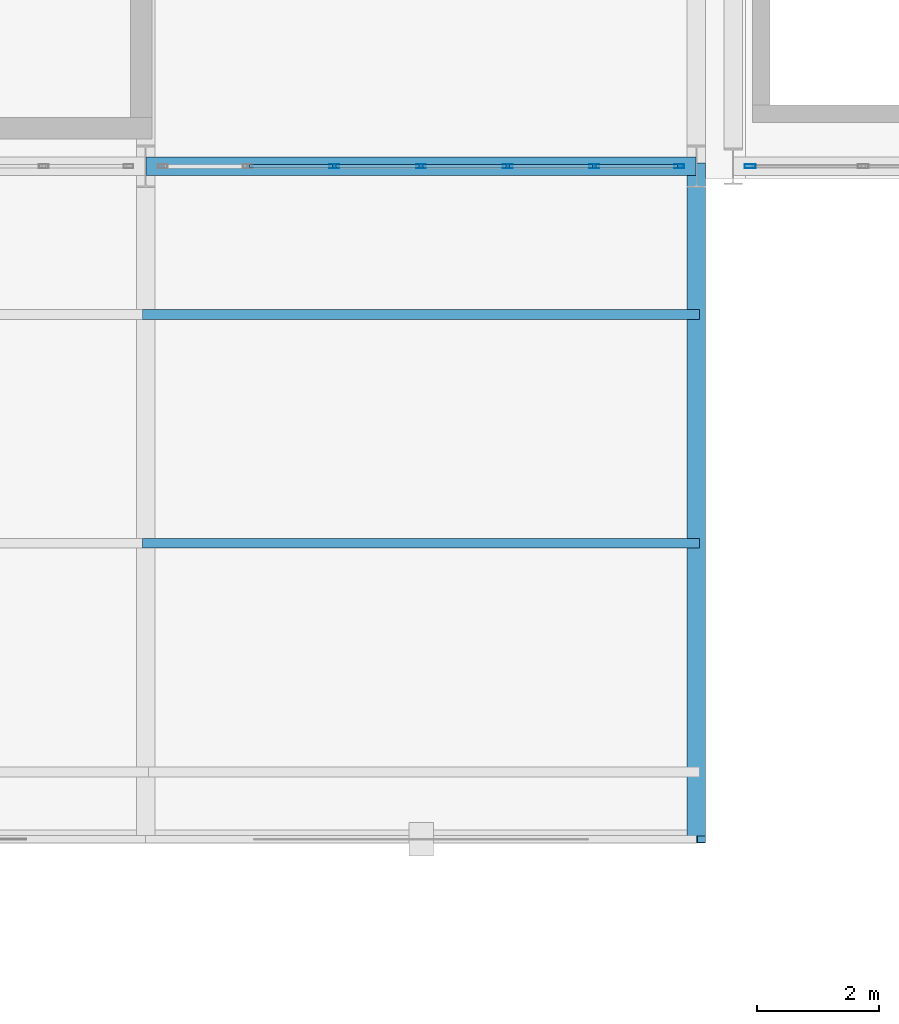
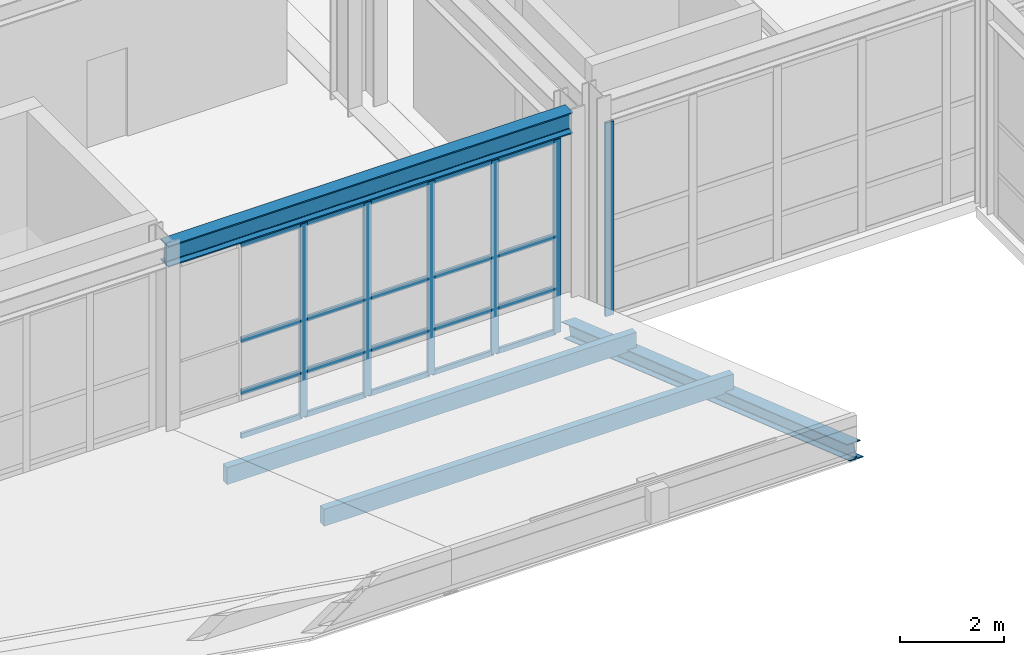
# One storey, part 61 of 239: 29 members, 1 beam, 2 elements without a shape of their own.
"""IFC4 building model written with IfcOpenShell, lengths in metres."""

from ifc_helpers import new_model, si_unit, direction, frame, origin, origin_2d, place, context, subcontext, project, spatial, rectangle, hollow_rectangle, i_section, extrude, material, material_profile, profile_set, type_object, element, aggregate, save


model = new_model("IFC4")

# Units and contexts
model_context = context("Model", 3, precision=1e-05, world=origin(), true_north=direction((0.0, 1.0)))
body_context = subcontext(model_context, "Body", "Model", "MODEL_VIEW")
ifc_project = project(units=[si_unit("LENGTHUNIT", "METRE"), si_unit("AREAUNIT", "SQUARE_METRE"), si_unit("VOLUMEUNIT", "CUBIC_METRE"), si_unit("PLANEANGLEUNIT", "RADIAN"), si_unit("MASSUNIT", "GRAM", prefix="KILO")], contexts=[model_context])

# Site, building, storey
site_placement = place(None, origin())
site = spatial("IfcSite", under=ifc_project, at=site_placement, CompositionType="ELEMENT")
building_placement = place(site_placement, origin())
building = spatial("IfcBuilding", under=site, at=building_placement, Name="Kaldris Quays Convention Centre", CompositionType="ELEMENT")
storey_placement = place(building_placement, frame((0.0, 0.0, 11.39990234375)))
storey = spatial("IfcBuildingStorey", under=building, at=storey_placement, Name="L02", CompositionType="ELEMENT", Elevation=11.39990234375)

# Curtain wall, members
ifc_material_1 = material(Name="Anodized aluminium AW-6060 and triple glazing", Category="aluminium")
curtain_wall_type_1 = type_object("IfcCurtainWallType", Name="UNITISED CURTAIN WALL CW04", PredefinedType="NOTDEFINED", material=ifc_material_1)
curtain_wall_1_placement = place(storey_placement, origin())
curtain_wall_1 = element("IfcCurtainWall", 1, at=curtain_wall_1_placement, inside=storey, type_object=curtain_wall_type_1, Name="L02 Unitised Curtain Wall CW04 120", PredefinedType="NOTDEFINED")
ifc_material_2 = material(Name="Anodized aluminium AW-6060", Category="aluminium")
ifc_material_profile_1 = material_profile(ifc_material_2, hollow_rectangle(XDim=0.06005859375, YDim=0.159912109375, WallThickness=0.00390625, at=origin_2d()), Name="RHS 160x60x4")
ifc_profile_set_1 = profile_set([ifc_material_profile_1], Name="Anodized aluminium AW-6060")
member_type_1 = type_object("IfcMemberType", Name="CURTAIN MULLION CWM1", PredefinedType="MULLION", material=ifc_profile_set_1)
member_1_placement = place(storey_placement, frame((140.083251953125, 38.0, 0.0), z_axis=(0.0, 0.0, 1.0), x_axis=(0.0, 1.0, 0.0)))
member_1 = element("IfcMember", 2, at=member_1_placement, type_object=member_type_1, Name="CW04 mullion 3", PredefinedType="MULLION", context=body_context, shape_type="SweptSolid", body=[
    extrude(hollow_rectangle(XDim=0.06005859375, YDim=0.159912109375, WallThickness=0.00390625, at=origin_2d()), origin(), (0.0, 0.0, 1.0), 4.548095703125),
])
member_2_placement = place(storey_placement, frame((141.5, 38.0, 0.0), z_axis=(0.0, 0.0, 1.0), x_axis=(0.0, 1.0, 0.0)))
member_2 = element("IfcMember", 3, at=member_2_placement, type_object=member_type_1, Name="CW04 mullion 4", PredefinedType="MULLION", context=body_context, shape_type="SweptSolid", body=[
    extrude(hollow_rectangle(XDim=0.06005859375, YDim=0.159912109375, WallThickness=0.00390625, at=origin_2d()), origin(), (0.0, 0.0, 1.0), 4.548095703125),
])
member_3_placement = place(storey_placement, frame((142.916748046875, 38.0, 0.0), z_axis=(0.0, 0.0, 1.0), x_axis=(0.0, 1.0, 0.0)))
member_3 = element("IfcMember", 4, at=member_3_placement, type_object=member_type_1, Name="CW04 mullion 5", PredefinedType="MULLION", context=body_context, shape_type="SweptSolid", body=[
    extrude(hollow_rectangle(XDim=0.06005859375, YDim=0.159912109375, WallThickness=0.00390625, at=origin_2d()), origin(), (0.0, 0.0, 1.0), 4.548095703125),
])
member_4_placement = place(storey_placement, frame((144.333251953125, 38.0, 0.0), z_axis=(0.0, 0.0, 1.0), x_axis=(0.0, 1.0, 0.0)))
member_4 = element("IfcMember", 5, at=member_4_placement, type_object=member_type_1, Name="CW04 mullion 6", PredefinedType="MULLION", context=body_context, shape_type="SweptSolid", body=[
    extrude(hollow_rectangle(XDim=0.06005859375, YDim=0.159912109375, WallThickness=0.00390625, at=origin_2d()), origin(), (0.0, 0.0, 1.0), 4.548095703125),
])
member_5_placement = place(storey_placement, frame((145.719970703125, 38.0, 0.0), z_axis=(0.0, 0.0, 1.0), x_axis=(0.0, 1.0, 0.0)))
member_5 = element("IfcMember", 6, at=member_5_placement, type_object=member_type_1, Name="CW04 mullion 7", PredefinedType="MULLION", context=body_context, shape_type="SweptSolid", body=[
    extrude(hollow_rectangle(XDim=0.06005859375, YDim=0.159912109375, WallThickness=0.00390625, at=origin_2d()), origin(), (0.0, 0.0, 1.0), 4.548095703125),
])

# Curtain wall, member
curtain_wall_type_2 = type_object("IfcCurtainWallType", Name="UNITISED CURTAIN WALL CW05", PredefinedType="NOTDEFINED", material=ifc_material_1)
curtain_wall_2_placement = place(storey_placement, origin())
curtain_wall_2 = element("IfcCurtainWall", 7, at=curtain_wall_2_placement, inside=storey, type_object=curtain_wall_type_2, Name="L02 Unitised Curtain Wall CW05 145", PredefinedType="NOTDEFINED")
ifc_material_profile_2 = material_profile(ifc_material_2, hollow_rectangle(XDim=0.06005859375, YDim=0.179931640625, WallThickness=0.0048828125, at=origin_2d()), Name="RHS 180x60x5")
ifc_profile_set_2 = profile_set([ifc_material_profile_2], Name="Anodized aluminium AW-6060")
member_type_2 = type_object("IfcMemberType", Name="CURTAIN MULLION CWM2", PredefinedType="MULLION", material=ifc_profile_set_2)
member_6_placement = place(storey_placement, frame((146.8798828125, 38.0, 0.0), z_axis=(0.0, 0.0, 1.0), x_axis=(0.0, 1.0, 0.0)))
member_6 = element("IfcMember", 8, at=member_6_placement, type_object=member_type_2, Name="CW05 mullion 1", PredefinedType="MULLION", context=body_context, shape_type="SweptSolid", body=[
    extrude(hollow_rectangle(XDim=0.06005859375, YDim=0.179931640625, WallThickness=0.0048828125, at=origin_2d()), origin(), (0.0, 0.0, 1.0), 4.548095703125),
])
aggregate(curtain_wall_2, [member_6])

# Member
ifc_material_profile_3 = material_profile(ifc_material_2, hollow_rectangle(XDim=0.06005859375, YDim=0.1201171875, WallThickness=0.00390625, at=origin_2d()), Name="RHS 120x60x4")
ifc_profile_set_3 = profile_set([ifc_material_profile_3], Name="Anodized aluminium AW-6060")
member_type_3 = type_object("IfcMemberType", Name="CURTAIN TRANSOM CWT1", PredefinedType="USERDEFINED", material=ifc_profile_set_3)
member_7_placement = place(storey_placement, frame((138.69677734375, 38.0, 0.030029296875), z_axis=(1.0, 0.0, 0.0), x_axis=(0.0, 1.0, 0.0)))
member_7 = element("IfcMember", 9, at=member_7_placement, type_object=member_type_3, Name="CW04 transom 2.1", ObjectType="TRANSOM", PredefinedType="USERDEFINED", context=body_context, shape_type="SweptSolid", body=[
    extrude(hollow_rectangle(XDim=0.06005859375, YDim=0.1201171875, WallThickness=0.00390625, at=origin_2d()), origin(), (0.0, 0.0, 1.0), 1.3564453125),
])

member_8_placement = place(storey_placement, frame((138.69677734375, 38.0, 1.050048828125), z_axis=(1.0, 0.0, 0.0), x_axis=(0.0, 1.0, 0.0)))
member_8 = element("IfcMember", 10, at=member_8_placement, type_object=member_type_3, Name="CW04 transom 2.2", ObjectType="TRANSOM", PredefinedType="USERDEFINED", context=body_context, shape_type="SweptSolid", body=[
    extrude(hollow_rectangle(XDim=0.06005859375, YDim=0.1201171875, WallThickness=0.00390625, at=origin_2d()), origin(), (0.0, 0.0, 1.0), 1.3564453125),
])

member_9_placement = place(storey_placement, frame((138.69677734375, 38.0, 2.274169921875), z_axis=(1.0, 0.0, 0.0), x_axis=(0.0, 1.0, 0.0)))
member_9 = element("IfcMember", 11, at=member_9_placement, type_object=member_type_3, Name="CW04 transom 2.3", ObjectType="TRANSOM", PredefinedType="USERDEFINED", context=body_context, shape_type="SweptSolid", body=[
    extrude(hollow_rectangle(XDim=0.06005859375, YDim=0.1201171875, WallThickness=0.00390625, at=origin_2d()), origin(), (0.0, 0.0, 1.0), 1.3564453125),
])

member_10_placement = place(storey_placement, frame((138.69677734375, 38.0, 4.51806640625), z_axis=(1.0, 0.0, 0.0), x_axis=(0.0, 1.0, 0.0)))
member_10 = element("IfcMember", 12, at=member_10_placement, type_object=member_type_3, Name="CW04 transom 2.4", ObjectType="TRANSOM", PredefinedType="USERDEFINED", context=body_context, shape_type="SweptSolid", body=[
    extrude(hollow_rectangle(XDim=0.06005859375, YDim=0.1201171875, WallThickness=0.00390625, at=origin_2d()), origin(), (0.0, 0.0, 1.0), 1.3564453125),
])

member_11_placement = place(storey_placement, frame((140.11328125, 38.0, 0.030029296875), z_axis=(1.0, 0.0, 0.0), x_axis=(0.0, 1.0, 0.0)))
member_11 = element("IfcMember", 13, at=member_11_placement, type_object=member_type_3, Name="CW04 transom 3.1", ObjectType="TRANSOM", PredefinedType="USERDEFINED", context=body_context, shape_type="SweptSolid", body=[
    extrude(hollow_rectangle(XDim=0.06005859375, YDim=0.1201171875, WallThickness=0.00390625, at=origin_2d()), origin(), (0.0, 0.0, 1.0), 1.356689453125),
])

member_12_placement = place(storey_placement, frame((140.11328125, 38.0, 1.050048828125), z_axis=(1.0, 0.0, 0.0), x_axis=(0.0, 1.0, 0.0)))
member_12 = element("IfcMember", 14, at=member_12_placement, type_object=member_type_3, Name="CW04 transom 3.2", ObjectType="TRANSOM", PredefinedType="USERDEFINED", context=body_context, shape_type="SweptSolid", body=[
    extrude(hollow_rectangle(XDim=0.06005859375, YDim=0.1201171875, WallThickness=0.00390625, at=origin_2d()), origin(), (0.0, 0.0, 1.0), 1.356689453125),
])

member_13_placement = place(storey_placement, frame((140.11328125, 38.0, 2.274169921875), z_axis=(1.0, 0.0, 0.0), x_axis=(0.0, 1.0, 0.0)))
member_13 = element("IfcMember", 15, at=member_13_placement, type_object=member_type_3, Name="CW04 transom 3.3", ObjectType="TRANSOM", PredefinedType="USERDEFINED", context=body_context, shape_type="SweptSolid", body=[
    extrude(hollow_rectangle(XDim=0.06005859375, YDim=0.1201171875, WallThickness=0.00390625, at=origin_2d()), origin(), (0.0, 0.0, 1.0), 1.356689453125),
])

member_14_placement = place(storey_placement, frame((140.11328125, 38.0, 4.51806640625), z_axis=(1.0, 0.0, 0.0), x_axis=(0.0, 1.0, 0.0)))
member_14 = element("IfcMember", 16, at=member_14_placement, type_object=member_type_3, Name="CW04 transom 3.4", ObjectType="TRANSOM", PredefinedType="USERDEFINED", context=body_context, shape_type="SweptSolid", body=[
    extrude(hollow_rectangle(XDim=0.06005859375, YDim=0.1201171875, WallThickness=0.00390625, at=origin_2d()), origin(), (0.0, 0.0, 1.0), 1.356689453125),
])

member_15_placement = place(storey_placement, frame((141.530029296875, 38.0, 0.030029296875), z_axis=(1.0, 0.0, 0.0), x_axis=(0.0, 1.0, 0.0)))
member_15 = element("IfcMember", 17, at=member_15_placement, type_object=member_type_3, Name="CW04 transom 4.1", ObjectType="TRANSOM", PredefinedType="USERDEFINED", context=body_context, shape_type="SweptSolid", body=[
    extrude(hollow_rectangle(XDim=0.06005859375, YDim=0.1201171875, WallThickness=0.00390625, at=origin_2d()), origin(), (0.0, 0.0, 1.0), 1.356689453125),
])

member_16_placement = place(storey_placement, frame((141.530029296875, 38.0, 1.050048828125), z_axis=(1.0, 0.0, 0.0), x_axis=(0.0, 1.0, 0.0)))
member_16 = element("IfcMember", 18, at=member_16_placement, type_object=member_type_3, Name="CW04 transom 4.2", ObjectType="TRANSOM", PredefinedType="USERDEFINED", context=body_context, shape_type="SweptSolid", body=[
    extrude(hollow_rectangle(XDim=0.06005859375, YDim=0.1201171875, WallThickness=0.00390625, at=origin_2d()), origin(), (0.0, 0.0, 1.0), 1.356689453125),
])

member_17_placement = place(storey_placement, frame((141.530029296875, 38.0, 2.274169921875), z_axis=(1.0, 0.0, 0.0), x_axis=(0.0, 1.0, 0.0)))
member_17 = element("IfcMember", 19, at=member_17_placement, type_object=member_type_3, Name="CW04 transom 4.3", ObjectType="TRANSOM", PredefinedType="USERDEFINED", context=body_context, shape_type="SweptSolid", body=[
    extrude(hollow_rectangle(XDim=0.06005859375, YDim=0.1201171875, WallThickness=0.00390625, at=origin_2d()), origin(), (0.0, 0.0, 1.0), 1.356689453125),
])

member_18_placement = place(storey_placement, frame((141.530029296875, 38.0, 4.51806640625), z_axis=(1.0, 0.0, 0.0), x_axis=(0.0, 1.0, 0.0)))
member_18 = element("IfcMember", 20, at=member_18_placement, type_object=member_type_3, Name="CW04 transom 4.4", ObjectType="TRANSOM", PredefinedType="USERDEFINED", context=body_context, shape_type="SweptSolid", body=[
    extrude(hollow_rectangle(XDim=0.06005859375, YDim=0.1201171875, WallThickness=0.00390625, at=origin_2d()), origin(), (0.0, 0.0, 1.0), 1.356689453125),
])

member_19_placement = place(storey_placement, frame((142.94677734375, 38.0, 0.030029296875), z_axis=(1.0, 0.0, 0.0), x_axis=(0.0, 1.0, 0.0)))
member_19 = element("IfcMember", 21, at=member_19_placement, type_object=member_type_3, Name="CW04 transom 5.1", ObjectType="TRANSOM", PredefinedType="USERDEFINED", context=body_context, shape_type="SweptSolid", body=[
    extrude(hollow_rectangle(XDim=0.06005859375, YDim=0.1201171875, WallThickness=0.00390625, at=origin_2d()), origin(), (0.0, 0.0, 1.0), 1.3564453125),
])

member_20_placement = place(storey_placement, frame((142.94677734375, 38.0, 1.050048828125), z_axis=(1.0, 0.0, 0.0), x_axis=(0.0, 1.0, 0.0)))
member_20 = element("IfcMember", 22, at=member_20_placement, type_object=member_type_3, Name="CW04 transom 5.2", ObjectType="TRANSOM", PredefinedType="USERDEFINED", context=body_context, shape_type="SweptSolid", body=[
    extrude(hollow_rectangle(XDim=0.06005859375, YDim=0.1201171875, WallThickness=0.00390625, at=origin_2d()), origin(), (0.0, 0.0, 1.0), 1.3564453125),
])

member_21_placement = place(storey_placement, frame((142.94677734375, 38.0, 2.274169921875), z_axis=(1.0, 0.0, 0.0), x_axis=(0.0, 1.0, 0.0)))
member_21 = element("IfcMember", 23, at=member_21_placement, type_object=member_type_3, Name="CW04 transom 5.3", ObjectType="TRANSOM", PredefinedType="USERDEFINED", context=body_context, shape_type="SweptSolid", body=[
    extrude(hollow_rectangle(XDim=0.06005859375, YDim=0.1201171875, WallThickness=0.00390625, at=origin_2d()), origin(), (0.0, 0.0, 1.0), 1.3564453125),
])

member_22_placement = place(storey_placement, frame((142.94677734375, 38.0, 4.51806640625), z_axis=(1.0, 0.0, 0.0), x_axis=(0.0, 1.0, 0.0)))
member_22 = element("IfcMember", 24, at=member_22_placement, type_object=member_type_3, Name="CW04 transom 5.4", ObjectType="TRANSOM", PredefinedType="USERDEFINED", context=body_context, shape_type="SweptSolid", body=[
    extrude(hollow_rectangle(XDim=0.06005859375, YDim=0.1201171875, WallThickness=0.00390625, at=origin_2d()), origin(), (0.0, 0.0, 1.0), 1.3564453125),
])

member_23_placement = place(storey_placement, frame((144.36328125, 38.0, 0.030029296875), z_axis=(1.0, 0.0, 0.0), x_axis=(0.0, 1.0, 0.0)))
member_23 = element("IfcMember", 25, at=member_23_placement, type_object=member_type_3, Name="CW04 transom 6.1", ObjectType="TRANSOM", PredefinedType="USERDEFINED", context=body_context, shape_type="SweptSolid", body=[
    extrude(hollow_rectangle(XDim=0.06005859375, YDim=0.1201171875, WallThickness=0.00390625, at=origin_2d()), origin(), (0.0, 0.0, 1.0), 1.32666015625),
])

member_24_placement = place(storey_placement, frame((144.36328125, 38.0, 1.050048828125), z_axis=(1.0, 0.0, 0.0), x_axis=(0.0, 1.0, 0.0)))
member_24 = element("IfcMember", 26, at=member_24_placement, type_object=member_type_3, Name="CW04 transom 6.2", ObjectType="TRANSOM", PredefinedType="USERDEFINED", context=body_context, shape_type="SweptSolid", body=[
    extrude(hollow_rectangle(XDim=0.06005859375, YDim=0.1201171875, WallThickness=0.00390625, at=origin_2d()), origin(), (0.0, 0.0, 1.0), 1.32666015625),
])

member_25_placement = place(storey_placement, frame((144.36328125, 38.0, 2.274169921875), z_axis=(1.0, 0.0, 0.0), x_axis=(0.0, 1.0, 0.0)))
member_25 = element("IfcMember", 27, at=member_25_placement, type_object=member_type_3, Name="CW04 transom 6.3", ObjectType="TRANSOM", PredefinedType="USERDEFINED", context=body_context, shape_type="SweptSolid", body=[
    extrude(hollow_rectangle(XDim=0.06005859375, YDim=0.1201171875, WallThickness=0.00390625, at=origin_2d()), origin(), (0.0, 0.0, 1.0), 1.32666015625),
])

member_26_placement = place(storey_placement, frame((144.36328125, 38.0, 4.51806640625), z_axis=(1.0, 0.0, 0.0), x_axis=(0.0, 1.0, 0.0)))
member_26 = element("IfcMember", 28, at=member_26_placement, type_object=member_type_3, Name="CW04 transom 6.4", ObjectType="TRANSOM", PredefinedType="USERDEFINED", context=body_context, shape_type="SweptSolid", body=[
    extrude(hollow_rectangle(XDim=0.06005859375, YDim=0.1201171875, WallThickness=0.00390625, at=origin_2d()), origin(), (0.0, 0.0, 1.0), 1.32666015625),
])

aggregate(curtain_wall_1, [member_1, member_2, member_3, member_4, member_5, member_7, member_8, member_9, member_10, member_11, member_12, member_13, member_14, member_15, member_16, member_17, member_18, member_19, member_20, member_21, member_22, member_23, member_24, member_25, member_26])

# Beam
ifc_material_3 = material(Name="Steel S355J2", Category="steel")
ifc_material_profile_4 = material_profile(ifc_material_3, i_section(OverallWidth=0.300048828125, OverallDepth=0.5, WebThickness=0.014404296875, FlangeThickness=0.028076171875, FilletRadius=0.027099609375, at=origin_2d()), Name="HEB 500")
ifc_profile_set_4 = profile_set([ifc_material_profile_4], Name="Steel S355J2")
beam_type = type_object("IfcBeamType", Name="STRUCTURAL BEAM BM06", PredefinedType="BEAM", material=ifc_profile_set_4)
beam_placement = place(storey_placement, frame((137.00244140625, 38.0, 4.9130859375), z_axis=(1.0, 0.0, 0.0), x_axis=(0.0, 1.0, 0.0)))
element("IfcBeam", 29, at=beam_placement, inside=storey, type_object=beam_type, Name="L02 Girder BM06 7", PredefinedType="BEAM", context=body_context, shape_type="SweptSolid", body=[
    extrude(i_section(OverallWidth=0.300048828125, OverallDepth=0.5, WebThickness=0.014404296875, FlangeThickness=0.028076171875, FilletRadius=0.027099609375, at=origin_2d()), origin(), (0.0, 0.0, 1.0), 8.9951171875),
])

# Members
ifc_material_4 = material(Name="Glulam GL28h", Category="wood")
ifc_material_profile_5 = material_profile(ifc_material_4, rectangle(XDim=0.159912109375, YDim=0.39990234375, at=origin_2d()), Name="GL 160x400")
ifc_profile_set_5 = profile_set([ifc_material_profile_5], Name="Glulam GL28h")
member_type_4 = type_object("IfcMemberType", Name="STRUCTURAL MEMBER PR01", PredefinedType="PURLIN", material=ifc_profile_set_5)
for number, where, z_axis, x_axis, name in (
    (30, (136.949951171875, 35.580078125, 1.201171875), (1.0, 0.0, 0.0), (0.0, 1.0, 0.0), "WR-SOUTH-ENTRY Glulam Wing Purlin 7"),
    (31, (136.949951171875, 31.840087890625, 2.489013671875), (1.0, 0.0, 0.0), (0.0, 1.0, 0.0), "WR-SOUTH-ENTRY Glulam Wing Purlin 7"),
):
    element("IfcMember", number, at=place(storey_placement, frame(where, z_axis=z_axis, x_axis=x_axis)), inside=storey, type_object=member_type_4, Name=name, PredefinedType="PURLIN", context=body_context, shape_type="SweptSolid", body=[
        extrude(rectangle(XDim=0.159912109375, YDim=0.39990234375, at=origin_2d()), origin(), (0.0, 0.0, 1.0), 9.10009765625),
    ])
ifc_material_profile_6 = material_profile(ifc_material_3, i_section(OverallWidth=0.300048828125, OverallDepth=0.35009765625, WebThickness=0.010009765625, FlangeThickness=0.017578125, FilletRadius=0.027099609375, at=origin_2d()), Name="HEA 360")
ifc_profile_set_6 = profile_set([ifc_material_profile_6], Name="Steel S355J2")
member_type_5 = type_object("IfcMemberType", Name="STRUCTURAL MEMBER WRF1", PredefinedType="RAFTER", material=ifc_profile_set_6)
member_27_placement = place(storey_placement, frame((146.0, 38.0, -0.000244140625), z_axis=(0.0, -0.945518736739, 0.325567686474), x_axis=(1.0, 0.0, 0.0)))
element("IfcMember", 32, at=member_27_placement, inside=storey, type_object=member_type_5, Name="WR-SOUTH-ENTRY Wing Cantilever Rafter 8", PredefinedType="RAFTER", context=body_context, shape_type="SweptSolid", body=[
    extrude(i_section(OverallWidth=0.300048828125, OverallDepth=0.35009765625, WebThickness=0.010009765625, FlangeThickness=0.017578125, FilletRadius=0.027099609375, at=origin_2d()), origin(), (0.0, 0.0, 1.0), 11.6337890625),
])

save(model, "model.ifc")
